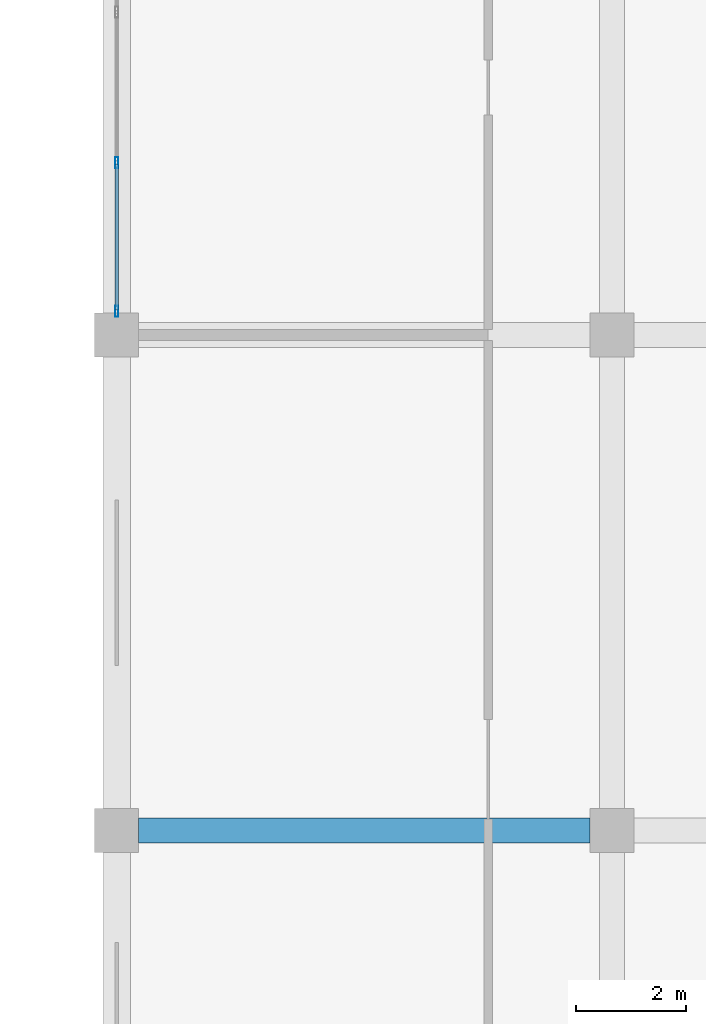
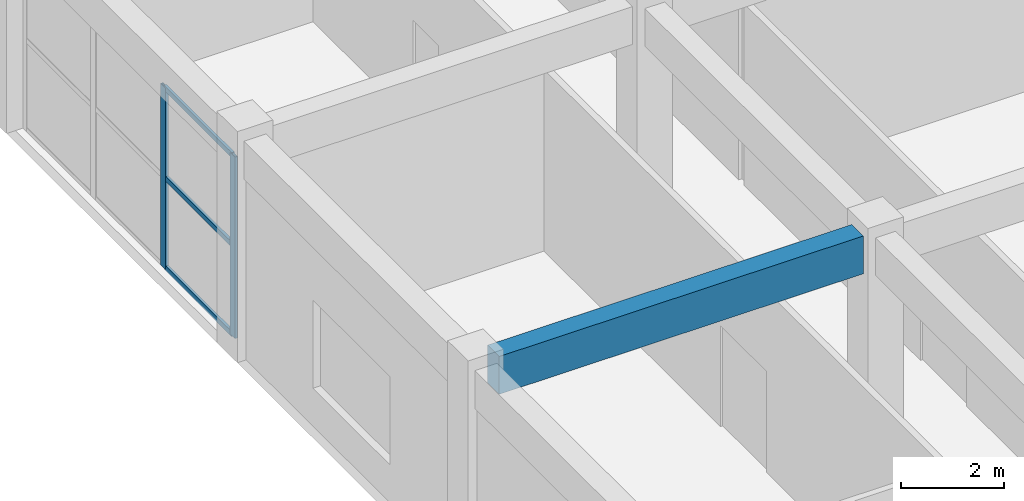
# One storey, part 70 of 185: 5 members, 1 beam, 1 element without a shape of its own.
"""IFC4 building model written with IfcOpenShell, lengths in metres."""

import ifcopenshell
import ifcopenshell.guid

model = None  # the IFC model being written
_history = None  # IfcOwnerHistory: only IFC2X3 demands one
_inside = {}  # id of a spatial element -> (the spatial element, [elements in it])
_under = {}  # id of a project, library or spatial element -> (it, [spatial elements below it])
_declared = {}  # id of a project -> (the project, [libraries it declares])
_typed = {}  # id of a type object -> (the type object, [elements of that type])
_made_of = {}  # id of a material, layer set ... -> (it, [elements and type objects made of it])


def new_model(schema):
    """Start an empty IFC model of exactly this schema.

    Asked for "IFC4X3", IfcOpenShell would pick the latest addendum, in which some entities
    have other attributes; the version numbers below select the first issue.
    IFC2X3 requires an IfcOwnerHistory on every rooted entity: one is made here for all.
    """
    global model, _history
    if schema == "IFC4X3":
        model = ifcopenshell.file(schema_version=(4, 3, 0, 0))
    else:
        model = ifcopenshell.file(schema=schema)
    _inside.clear()
    _under.clear()
    _declared.clear()
    _typed.clear()
    _made_of.clear()
    _history = None
    if model.schema == "IFC2X3":
        org = make("IfcOrganization", Name="unknown")
        user = make(
            "IfcPersonAndOrganization",
            ThePerson=make("IfcPerson", FamilyName="unknown"),
            TheOrganization=org,
        )
        app = make(
            "IfcApplication",
            ApplicationDeveloper=org,
            Version="unknown",
            ApplicationFullName="unknown",
            ApplicationIdentifier="unknown",
        )
        _history = make(
            "IfcOwnerHistory",
            OwningUser=user,
            OwningApplication=app,
            ChangeAction="ADDED",
            CreationDate=0,
        )
    return model


def make(cls, **values):
    """One entity of the class cls with the attributes given. An attribute that is None is left unset."""
    return model.create_entity(
        cls, **{name: value for name, value in values.items() if value is not None}
    )


def rooted(cls, **values):
    """An entity with a GlobalId (a new one), such as an element, a storey or a relation."""
    return make(cls, GlobalId=ifcopenshell.guid.new(), OwnerHistory=_history, **values)


def si_unit(unit_type, name, prefix=None):
    """IfcSIUnit, for example si_unit("LENGTHUNIT", "METRE", prefix="MILLI")."""
    return make("IfcSIUnit", UnitType=unit_type, Prefix=prefix, Name=name)


def assignment(units):
    """IfcUnitAssignment: the units of a project."""
    return None if units is None else make("IfcUnitAssignment", Units=units)


def point(xyz):
    """IfcCartesianPoint."""
    return None if xyz is None else make("IfcCartesianPoint", Coordinates=xyz)


def direction(xyz):
    """IfcDirection."""
    return None if xyz is None else make("IfcDirection", DirectionRatios=xyz)


def frame(location, z_axis=None, x_axis=None):
    """IfcAxis2Placement3D, a coordinate frame: its origin and axes. An axis left out is left unset."""
    return make(
        "IfcAxis2Placement3D",
        Location=point(location),
        Axis=direction(z_axis),
        RefDirection=direction(x_axis),
    )


def frame_2d(location, x_axis=None):
    """IfcAxis2Placement2D, a coordinate frame in the plane: its origin and x axis."""
    return make(
        "IfcAxis2Placement2D", Location=point(location), RefDirection=direction(x_axis)
    )


def origin():
    """The frame at (0, 0, 0) with its axes left unset."""
    return frame((0.0, 0.0, 0.0))


def origin_2d():
    """The frame at (0, 0) in the plane with its x axis left unset."""
    return frame_2d((0.0, 0.0))


def place(relative_to, where):
    """IfcLocalPlacement: puts the frame where relative to a parent placement (None: the world)."""
    return make(
        "IfcLocalPlacement", PlacementRelTo=relative_to, RelativePlacement=where
    )


def context(
    kind, dimensions, precision=None, world=None, true_north=None, identifier=None
):
    """IfcGeometricRepresentationContext, for example the 3D "Model" context."""
    return make(
        "IfcGeometricRepresentationContext",
        ContextIdentifier=identifier,
        ContextType=kind,
        CoordinateSpaceDimension=dimensions,
        Precision=precision,
        WorldCoordinateSystem=world,
        TrueNorth=true_north,
    )


def subcontext(parent, identifier, kind, view, scale=None):
    """IfcGeometricRepresentationSubContext, for example "Body" below "Model"."""
    return make(
        "IfcGeometricRepresentationSubContext",
        ContextIdentifier=identifier,
        ContextType=kind,
        ParentContext=parent,
        TargetScale=scale,
        TargetView=view,
    )


def project(units=None, contexts=None):
    """IfcProject with its units and contexts."""
    return rooted(
        "IfcProject",
        Name="project",
        RepresentationContexts=contexts,
        UnitsInContext=assignment(units),
    )


def spatial(cls, under=None, at=None, **own):
    """A site, building, storey or space (cls), placed at a placement, below another one or the project."""
    s = rooted(cls, ObjectPlacement=at, **own)
    if under is not None:
        _under.setdefault(under.id(), (under, []))[1].append(s)
    return s


def profile(cls, at=None, kind="AREA", **sizes):
    """A parametric profile (cls). Its sizes go by their IFC names, for example OverallWidth=200.0."""
    return make(cls, ProfileType=kind, Position=at, **sizes)


def rectangle(**sizes):
    """IfcRectangleProfileDef."""
    return profile("IfcRectangleProfileDef", **sizes)


def hollow_rectangle(**sizes):
    """IfcRectangleHollowProfileDef."""
    return profile("IfcRectangleHollowProfileDef", **sizes)


def extrude(swept, where, along, depth):
    """IfcExtrudedAreaSolid: the profile swept, set in the frame where, extruded along a direction by depth."""
    return make(
        "IfcExtrudedAreaSolid",
        SweptArea=swept,
        Position=where,
        ExtrudedDirection=direction(along),
        Depth=depth,
    )


def shape(context_of_items, identifier, shape_type, items):
    """IfcShapeRepresentation: the items that make up one representation, for example the "Body"."""
    return make(
        "IfcShapeRepresentation",
        ContextOfItems=context_of_items,
        RepresentationIdentifier=identifier,
        RepresentationType=shape_type,
        Items=items,
    )


def material(Name=None, Category=None):
    """IfcMaterial."""
    return make("IfcMaterial", Name=Name, Category=Category)


def layer(
    of_material, thickness, ventilated=None, Name=None, Category=None, Priority=None
):
    """IfcMaterialLayer: one layer of a wall or slab, of a material (None: an air gap)."""
    return make(
        "IfcMaterialLayer",
        Material=of_material,
        LayerThickness=thickness,
        IsVentilated=ventilated,
        Name=Name,
        Category=Category,
        Priority=Priority,
    )


def layer_set(layers, Name=None):
    """IfcMaterialLayerSet."""
    return make("IfcMaterialLayerSet", MaterialLayers=layers, LayerSetName=Name)


def material_profile(
    of_material, cross_section, Name=None, Category=None, Priority=None
):
    """IfcMaterialProfile: a cross section and its material."""
    return make(
        "IfcMaterialProfile",
        Name=Name,
        Material=of_material,
        Profile=cross_section,
        Priority=Priority,
        Category=Category,
    )


def profile_set(profiles, Name=None, composite=None):
    """IfcMaterialProfileSet."""
    return make(
        "IfcMaterialProfileSet",
        Name=Name,
        MaterialProfiles=profiles,
        CompositeProfile=composite,
    )


def made_of(thing, what):
    """Note that an element or type object is made of a material, layer set ...; save() writes the relation."""
    if what is not None:
        _made_of.setdefault(what.id(), (what, []))[1].append(thing)
    return thing


def type_object(cls, material=None, **own):
    """A type object (cls), such as IfcWallType, which elements share."""
    return made_of(rooted(cls, **own), material)


def element(
    cls,
    number,
    at=None,
    inside=None,
    cuts=None,
    type_object=None,
    material=None,
    context=None,
    identifier="Body",
    shape_type=None,
    held_by="IfcProductDefinitionShape",
    body=None,
    shapes=None,
    **own,
):
    """One element of the class cls, such as IfcWall. Its Tag is "e" and its number.

    at: its placement. inside: the storey or other place that contains it. cuts: it is an
    opening in that element (IfcRelVoidsElement). A single representation is given by context,
    identifier, shape_type and body (its items); several are given by shapes. held_by: the class
    of the entity that holds the representations. save() writes the other relations.
    """
    e = rooted(cls, Tag="e%d" % number, ObjectPlacement=at, **own)
    if body is not None:
        shapes = [shape(context, identifier, shape_type, body)]
    if shapes is not None:
        e.Representation = make(held_by, Representations=shapes)
    if inside is not None:
        _inside.setdefault(inside.id(), (inside, []))[1].append(e)
    if cuts is not None:
        rooted(
            "IfcRelVoidsElement", RelatingBuildingElement=cuts, RelatedOpeningElement=e
        )
    if type_object is not None:
        _typed.setdefault(type_object.id(), (type_object, []))[1].append(e)
    return made_of(e, material)


def aggregate(whole, parts):
    """IfcRelAggregates: a whole, such as a stair, and the parts it consists of."""
    return rooted("IfcRelAggregates", RelatingObject=whole, RelatedObjects=parts)


def save(model, path):
    """Write the relations noted so far, then the file.

    IfcRelAggregates (storeys below a building ...), IfcRelContainedInSpatialStructure (elements
    in a storey), IfcRelDefinesByType, IfcRelAssociatesMaterial and IfcRelDeclares: one each for
    every whole, place, type object, material and project.
    """
    for whole, parts in _under.values():
        aggregate(whole, parts)
    for where, things in _inside.values():
        rooted(
            "IfcRelContainedInSpatialStructure",
            RelatedElements=things,
            RelatingStructure=where,
        )
    for kind, things in _typed.values():
        rooted("IfcRelDefinesByType", RelatedObjects=things, RelatingType=kind)
    for what, things in _made_of.values():
        rooted("IfcRelAssociatesMaterial", RelatedObjects=things, RelatingMaterial=what)
    for by, libraries in _declared.values():
        rooted("IfcRelDeclares", RelatingContext=by, RelatedDefinitions=libraries)
    model.write(path)


model = new_model("IFC4")

# Units and contexts
model_context = context("Model", 3, precision=1e-05, world=origin(), true_north=direction((0.0, 1.0)))
body_context = subcontext(model_context, "Body", "Model", "MODEL_VIEW")
ifc_project = project(units=[si_unit("LENGTHUNIT", "METRE"), si_unit("AREAUNIT", "SQUARE_METRE"), si_unit("VOLUMEUNIT", "CUBIC_METRE"), si_unit("PLANEANGLEUNIT", "RADIAN"), si_unit("MASSUNIT", "GRAM", prefix="KILO")], contexts=[model_context])

# Site, building, storey
site_placement = place(None, origin())
site = spatial("IfcSite", under=ifc_project, at=site_placement, CompositionType="ELEMENT")
building_placement = place(site_placement, origin())
building = spatial("IfcBuilding", under=site, at=building_placement, Name="Opaline Strait Convention Centre", CompositionType="ELEMENT")
storey_placement = place(building_placement, frame((0.0, 0.0, 6.0)))
storey = spatial("IfcBuildingStorey", under=building, at=storey_placement, Name="L01", CompositionType="ELEMENT", Elevation=6.0)

# Curtain wall, members
ifc_material_1 = material(Name="Aluminium framed double glazing", Category="aluminium")
ifc_layer = layer(ifc_material_1, 0.199951171875)
ifc_layer_set = layer_set([ifc_layer], Name="Aluminium framed double glazing")
curtain_wall_type = type_object("IfcCurtainWallType", Name="Curtain wall 3000 module unitised", PredefinedType="NOTDEFINED", material=ifc_layer_set)
curtain_wall_placement = place(storey_placement, origin())
curtain_wall = element("IfcCurtainWall", 1, at=curtain_wall_placement, inside=storey, type_object=curtain_wall_type, Name="Curtain wall W L01 32/P", PredefinedType="NOTDEFINED")
ifc_material_2 = material(Name="Aluminium alloy 6063", Category="aluminium")
ifc_material_profile_1 = material_profile(ifc_material_2, hollow_rectangle(XDim=0.06005859375, YDim=0.199951171875, WallThickness=0.00390625, at=origin_2d()), Name="MULLION 60x200x4")
ifc_profile_set_1 = profile_set([ifc_material_profile_1], Name="Aluminium alloy 6063")
member_type_1 = type_object("IfcMemberType", Name="Curtain wall mullion 60 x 200", PredefinedType="MULLION", material=ifc_profile_set_1)
member_1_placement = place(storey_placement, frame((279.0, 117.429931640625, 0.0), z_axis=(0.0, 0.0, 1.0), x_axis=(-1.0, 0.0, 0.0)))
member_1 = element("IfcMember", 2, at=member_1_placement, type_object=member_type_1, Name="MCWR1 mullion 1", PredefinedType="MULLION", context=body_context, shape_type="SweptSolid", body=[
    extrude(hollow_rectangle(XDim=0.06005859375, YDim=0.199951171875, WallThickness=0.00390625, at=origin_2d()), origin(), (0.0, 0.0, 1.0), 4.320068359375),
])
member_2_placement = place(storey_placement, frame((279.0, 120.13330078125, 0.0), z_axis=(0.0, 0.0, 1.0), x_axis=(-1.0, 0.0, 0.0)))
member_2 = element("IfcMember", 3, at=member_2_placement, type_object=member_type_1, Name="MCWR1 mullion 2", PredefinedType="MULLION", context=body_context, shape_type="SweptSolid", body=[
    extrude(hollow_rectangle(XDim=0.06005859375, YDim=0.199951171875, WallThickness=0.00390625, at=origin_2d()), origin(), (0.0, 0.0, 1.0), 4.320068359375),
])
ifc_material_profile_2 = material_profile(ifc_material_2, hollow_rectangle(XDim=0.06005859375, YDim=0.1201171875, WallThickness=0.0029296875, at=origin_2d()), Name="TRANSOM 60x120x3")
ifc_profile_set_2 = profile_set([ifc_material_profile_2], Name="Aluminium alloy 6063")
member_type_2 = type_object("IfcMemberType", Name="Curtain wall transom 60 x 120", PredefinedType="USERDEFINED", material=ifc_profile_set_2)
member_3_placement = place(storey_placement, frame((279.0, 117.4599609375, 0.030029296875), z_axis=(0.0, 1.0, 0.0), x_axis=(-1.0, 0.0, 0.0)))
member_3 = element("IfcMember", 4, at=member_3_placement, type_object=member_type_2, Name="MCWR1 transom 1.1", ObjectType="TRANSOM", PredefinedType="USERDEFINED", context=body_context, shape_type="SweptSolid", body=[
    extrude(hollow_rectangle(XDim=0.06005859375, YDim=0.1201171875, WallThickness=0.0029296875, at=origin_2d()), origin(), (0.0, 0.0, 1.0), 2.643310546875),
])
member_4_placement = place(storey_placement, frame((279.0, 117.4599609375, 2.159912109375), z_axis=(0.0, 1.0, 0.0), x_axis=(-1.0, 0.0, 0.0)))
member_4 = element("IfcMember", 5, at=member_4_placement, type_object=member_type_2, Name="MCWR1 transom 1.2", ObjectType="TRANSOM", PredefinedType="USERDEFINED", context=body_context, shape_type="SweptSolid", body=[
    extrude(hollow_rectangle(XDim=0.06005859375, YDim=0.1201171875, WallThickness=0.0029296875, at=origin_2d()), origin(), (0.0, 0.0, 1.0), 2.643310546875),
])
member_5_placement = place(storey_placement, frame((279.0, 117.4599609375, 4.2900390625), z_axis=(0.0, 1.0, 0.0), x_axis=(-1.0, 0.0, 0.0)))
member_5 = element("IfcMember", 6, at=member_5_placement, type_object=member_type_2, Name="MCWR1 transom 1.3", ObjectType="TRANSOM", PredefinedType="USERDEFINED", context=body_context, shape_type="SweptSolid", body=[
    extrude(hollow_rectangle(XDim=0.06005859375, YDim=0.1201171875, WallThickness=0.0029296875, at=origin_2d()), origin(), (0.0, 0.0, 1.0), 2.643310546875),
])
aggregate(curtain_wall, [member_1, member_2, member_3, member_4, member_5])

# Beam
ifc_material_3 = material(Name="Concrete C35", Category="concrete")
ifc_material_profile_3 = material_profile(ifc_material_3, rectangle(XDim=0.449951171875, YDim=0.89990234375, at=origin_2d()), Name="RC 450x900")
ifc_profile_set_3 = profile_set([ifc_material_profile_3], Name="Concrete C35")
beam_type = type_object("IfcBeamType", Name="RC beam 450x900 C35", PredefinedType="BEAM", material=ifc_profile_set_3)
beam_placement = place(storey_placement, frame((279.39990234375, 108.0, 4.77001953125), z_axis=(1.0, 0.0, 0.0), x_axis=(0.0, 1.0, 0.0)))
element("IfcBeam", 7, at=beam_placement, inside=storey, type_object=beam_type, Name="XB1 L01 32/N-33/N", PredefinedType="BEAM", context=body_context, shape_type="SweptSolid", body=[
    extrude(rectangle(XDim=0.449951171875, YDim=0.89990234375, at=origin_2d()), origin(), (0.0, 0.0, 1.0), 8.2001953125),
])

save(model, "model.ifc")
